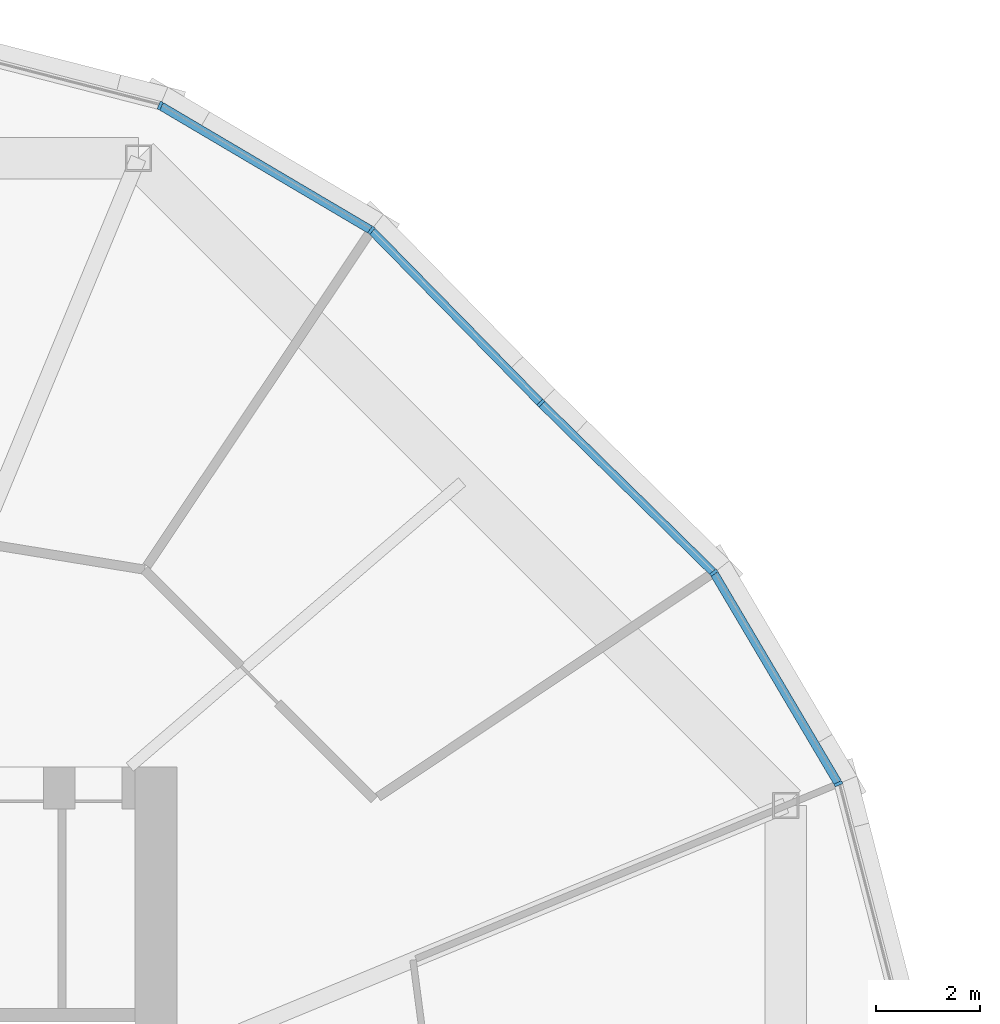
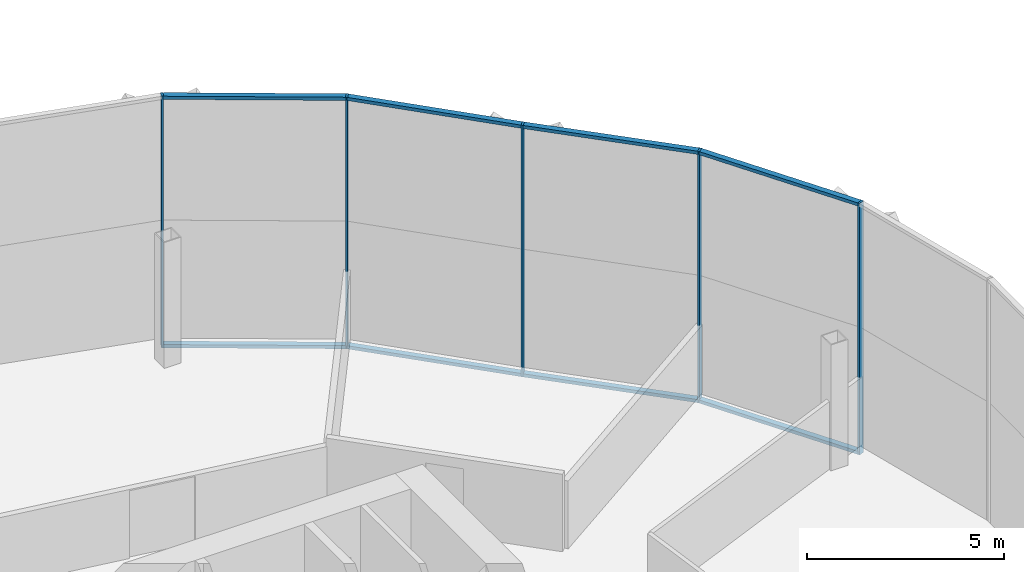
# One storey, part 9 of 31: 13 members, 2 elements without a shape of their own.
"""IFC4 building model written with IfcOpenShell, lengths in metres."""

from ifc_helpers import new_model, si_unit, direction, frame, origin, origin_2d, place, context, subcontext, project, spatial, rectangle, extrude, material, material_profile, profile_set, type_object, element, aggregate, save


model = new_model("IFC4")

# Units and contexts
model_context = context("Model", 3, precision=1e-05, world=origin(), true_north=direction((0.0, 1.0)))
body_context = subcontext(model_context, "Body", "Model", "MODEL_VIEW")
ifc_project = project(units=[si_unit("LENGTHUNIT", "METRE"), si_unit("AREAUNIT", "SQUARE_METRE"), si_unit("VOLUMEUNIT", "CUBIC_METRE"), si_unit("PLANEANGLEUNIT", "RADIAN"), si_unit("MASSUNIT", "GRAM", prefix="KILO")], contexts=[model_context])

# Site, building, storey
site_placement = place(None, origin())
site = spatial("IfcSite", under=ifc_project, at=site_placement, CompositionType="ELEMENT")
building_placement = place(site_placement, origin())
building = spatial("IfcBuilding", under=site, at=building_placement, Name="Ogive Gate Towers", CompositionType="ELEMENT")
storey_placement = place(building_placement, frame((0.0, 0.0, 63.60009765625)))
storey = spatial("IfcBuildingStorey", under=building, at=storey_placement, Name="L14", CompositionType="ELEMENT", Elevation=63.60009765625)

# Curtain wall, members
ifc_material = material(Name="Pale metal aluminium", Category="aluminium")
curtain_wall_type = type_object("IfcCurtainWallType", Name="Tower unitised wall, low zone", PredefinedType="NOTDEFINED", material=ifc_material)
curtain_wall_1_placement = place(storey_placement, origin())
curtain_wall_1 = element("IfcCurtainWall", 1, at=curtain_wall_1_placement, inside=storey, type_object=curtain_wall_type, Name="CW1 T1 ECW01", PredefinedType="NOTDEFINED")
ifc_material_profile_1 = material_profile(ifc_material, rectangle(XDim=0.159912109375, YDim=0.06005859375, at=origin_2d()), Name="60 x 160 aluminium box")
ifc_profile_set_1 = profile_set([ifc_material_profile_1], Name="Pale metal aluminium")
member_type_1 = type_object("IfcMemberType", Name="Tower unitised wall, low zone mullion 60 x 160", PredefinedType="MULLION", material=ifc_profile_set_1)
member_1_placement = place(storey_placement, frame((-13.835205078125, 9.180908203125, -0.300048828125), z_axis=(0.0, 0.0, 1.0), x_axis=(0.923879532511, 0.382683432365, 0.0)))
member_1 = element("IfcMember", 2, at=member_1_placement, type_object=member_type_1, Name="CW1 mullion", PredefinedType="MULLION", context=body_context, shape_type="SweptSolid", body=[
    extrude(rectangle(XDim=0.159912109375, YDim=0.06005859375, at=origin_2d()), origin(), (0.0, 0.0, 1.0), 7.800048828125),
])
member_2_placement = place(storey_placement, frame((-16.22216796875, 13.222412109375, -0.300048828125), z_axis=(0.0, 0.0, 1.0), x_axis=(0.787387121413, 0.616458855912, 0.0)))
member_2 = element("IfcMember", 3, at=member_2_placement, type_object=member_type_1, Name="CW1 mullion", PredefinedType="MULLION", context=body_context, shape_type="SweptSolid", body=[
    extrude(rectangle(XDim=0.159912109375, YDim=0.06005859375, at=origin_2d()), origin(), (0.0, 0.0, 1.0), 7.800048828125),
])
member_3_placement = place(storey_placement, frame((-19.53125, 16.468505859375, -0.300048828125), z_axis=(0.0, 0.0, 1.0), x_axis=(0.700299028189, 0.713849613797, 0.0)))
member_3 = element("IfcMember", 4, at=member_3_placement, type_object=member_type_1, Name="CW1 mullion", PredefinedType="MULLION", context=body_context, shape_type="SweptSolid", body=[
    extrude(rectangle(XDim=0.159912109375, YDim=0.06005859375, at=origin_2d()), origin(), (0.0, 0.0, 1.0), 7.800048828125),
])

curtain_wall_2_placement = place(storey_placement, origin())
curtain_wall_2 = element("IfcCurtainWall", 5, at=curtain_wall_2_placement, inside=storey, type_object=curtain_wall_type, Name="CW1 T1 ECW02", PredefinedType="NOTDEFINED")
member_4_placement = place(storey_placement, frame((-22.777587890625, 19.77783203125, -0.300048828125), z_axis=(0.0, 0.0, 1.0), x_axis=(0.616458855912, 0.787387121413, 0.0)))
member_4 = element("IfcMember", 6, at=member_4_placement, type_object=member_type_1, Name="CW1 mullion", PredefinedType="MULLION", context=body_context, shape_type="SweptSolid", body=[
    extrude(rectangle(XDim=0.159912109375, YDim=0.06005859375, at=origin_2d()), origin(), (0.0, 0.0, 1.0), 7.800048828125),
])
member_5_placement = place(storey_placement, frame((-26.819091796875, 22.164794921875, -0.300048828125), z_axis=(0.0, 0.0, 1.0), x_axis=(0.382683432365, 0.923879532511, 0.0)))
member_5 = element("IfcMember", 7, at=member_5_placement, type_object=member_type_1, Name="CW1 mullion", PredefinedType="MULLION", context=body_context, shape_type="SweptSolid", body=[
    extrude(rectangle(XDim=0.159912109375, YDim=0.06005859375, at=origin_2d()), origin(), (0.0, 0.0, 1.0), 7.800048828125),
])

# Member
ifc_material_profile_2 = material_profile(ifc_material, rectangle(XDim=0.159912109375, YDim=0.10009765625, at=origin_2d()), Name="100 x 160 aluminium box")
ifc_profile_set_2 = profile_set([ifc_material_profile_2], Name="Pale metal aluminium")
member_type_2 = type_object("IfcMemberType", Name="Tower unitised wall, low zone transom 100 x 160", PredefinedType="USERDEFINED", material=ifc_profile_set_2)
member_6_placement = place(storey_placement, frame((-13.84912109375, 9.204345703125, 7.449951171875), z_axis=(-0.508578598665, 0.861015568373, 0.0), x_axis=(-0.861015568373, -0.508578598665, 0.0)))
member_6 = element("IfcMember", 8, at=member_6_placement, type_object=member_type_2, Name="CW1 transom", ObjectType="TRANSOM", PredefinedType="USERDEFINED", context=body_context, shape_type="SweptSolid", body=[
    extrude(rectangle(XDim=0.159912109375, YDim=0.10009765625, at=origin_2d()), origin(), (0.0, 0.0, 1.0), 4.63916015625),
])

member_7_placement = place(storey_placement, frame((-13.84912109375, 9.204345703125, -0.25), z_axis=(-0.508578598665, 0.861015568373, 0.0), x_axis=(-0.861015568373, -0.508578598665, 0.0)))
member_7 = element("IfcMember", 9, at=member_7_placement, type_object=member_type_2, Name="CW1 transom", ObjectType="TRANSOM", PredefinedType="USERDEFINED", context=body_context, shape_type="SweptSolid", body=[
    extrude(rectangle(XDim=0.159912109375, YDim=0.10009765625, at=origin_2d()), origin(), (0.0, 0.0, 1.0), 4.63916015625),
])

member_8_placement = place(storey_placement, frame((-16.24169921875, 13.241455078125, 7.449951171875), z_axis=(-0.71387313872, 0.70027504726, 0.0), x_axis=(-0.70027504726, -0.71387313872, 0.0)))
member_8 = element("IfcMember", 10, at=member_8_placement, type_object=member_type_2, Name="CW1 transom", ObjectType="TRANSOM", PredefinedType="USERDEFINED", context=body_context, shape_type="SweptSolid", body=[
    extrude(rectangle(XDim=0.159912109375, YDim=0.10009765625, at=origin_2d()), origin(), (0.0, 0.0, 1.0), 4.578369140625),
])

member_9_placement = place(storey_placement, frame((-16.24169921875, 13.241455078125, -0.25), z_axis=(-0.71387313872, 0.70027504726, 0.0), x_axis=(-0.70027504726, -0.71387313872, 0.0)))
member_9 = element("IfcMember", 11, at=member_9_placement, type_object=member_type_2, Name="CW1 transom", ObjectType="TRANSOM", PredefinedType="USERDEFINED", context=body_context, shape_type="SweptSolid", body=[
    extrude(rectangle(XDim=0.159912109375, YDim=0.10009765625, at=origin_2d()), origin(), (0.0, 0.0, 1.0), 4.578369140625),
])

aggregate(curtain_wall_1, [member_1, member_2, member_6, member_7, member_3, member_8, member_9])

member_10_placement = place(storey_placement, frame((-19.552490234375, 16.489990234375, 7.449951171875), z_axis=(-0.70027504726, 0.71387313872, 0.0), x_axis=(-0.71387313872, -0.70027504726, 0.0)))
member_10 = element("IfcMember", 12, at=member_10_placement, type_object=member_type_2, Name="CW1 transom", ObjectType="TRANSOM", PredefinedType="USERDEFINED", context=body_context, shape_type="SweptSolid", body=[
    extrude(rectangle(XDim=0.159912109375, YDim=0.10009765625, at=origin_2d()), origin(), (0.0, 0.0, 1.0), 4.578369140625),
])

member_11_placement = place(storey_placement, frame((-19.552490234375, 16.489990234375, -0.25), z_axis=(-0.70027504726, 0.71387313872, 0.0), x_axis=(-0.71387313872, -0.70027504726, 0.0)))
member_11 = element("IfcMember", 13, at=member_11_placement, type_object=member_type_2, Name="CW1 transom", ObjectType="TRANSOM", PredefinedType="USERDEFINED", context=body_context, shape_type="SweptSolid", body=[
    extrude(rectangle(XDim=0.159912109375, YDim=0.10009765625, at=origin_2d()), origin(), (0.0, 0.0, 1.0), 4.578369140625),
])

member_12_placement = place(storey_placement, frame((-22.80126953125, 19.79150390625, 7.449951171875), z_axis=(-0.861015568373, 0.508578598665, 0.0), x_axis=(-0.508578598665, -0.861015568373, 0.0)))
member_12 = element("IfcMember", 14, at=member_12_placement, type_object=member_type_2, Name="CW1 transom", ObjectType="TRANSOM", PredefinedType="USERDEFINED", context=body_context, shape_type="SweptSolid", body=[
    extrude(rectangle(XDim=0.159912109375, YDim=0.10009765625, at=origin_2d()), origin(), (0.0, 0.0, 1.0), 4.63916015625),
])

member_13_placement = place(storey_placement, frame((-22.80126953125, 19.79150390625, -0.25), z_axis=(-0.861015568373, 0.508578598665, 0.0), x_axis=(-0.508578598665, -0.861015568373, 0.0)))
member_13 = element("IfcMember", 15, at=member_13_placement, type_object=member_type_2, Name="CW1 transom", ObjectType="TRANSOM", PredefinedType="USERDEFINED", context=body_context, shape_type="SweptSolid", body=[
    extrude(rectangle(XDim=0.159912109375, YDim=0.10009765625, at=origin_2d()), origin(), (0.0, 0.0, 1.0), 4.63916015625),
])

aggregate(curtain_wall_2, [member_4, member_10, member_11, member_5, member_12, member_13])

save(model, "model.ifc")
